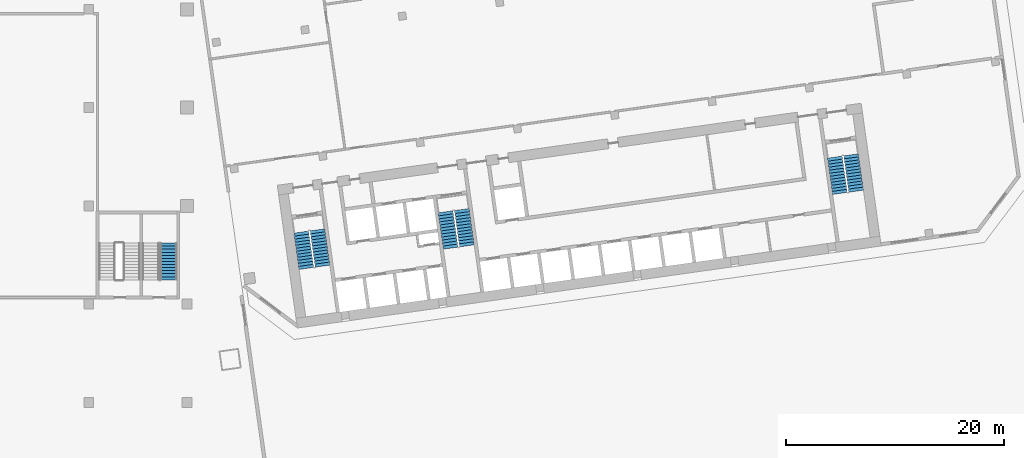
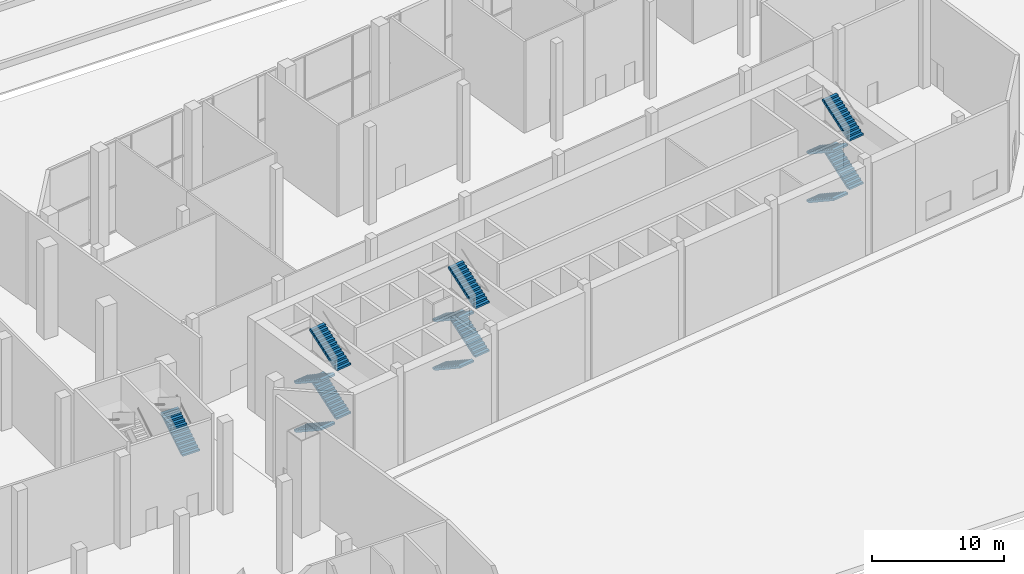
# One storey, part 30 of 34: 13 stair flights, 4 elements without a shape of their own.
"""IFC4 building model written with IfcOpenShell, lengths in metres."""

from ifc_helpers import new_model, si_unit, direction, frame, origin, place, context, subcontext, project, spatial, polyline, outline, extrude, material, type_object, element, aggregate, save


model = new_model("IFC4")

# Units and contexts
model_context = context("Model", 3, precision=1e-05, world=origin(), true_north=direction((0.0, 1.0)))
body_context = subcontext(model_context, "Body", "Model", "MODEL_VIEW")
ifc_project = project(units=[si_unit("LENGTHUNIT", "METRE"), si_unit("AREAUNIT", "SQUARE_METRE"), si_unit("VOLUMEUNIT", "CUBIC_METRE"), si_unit("PLANEANGLEUNIT", "RADIAN"), si_unit("MASSUNIT", "GRAM", prefix="KILO")], contexts=[model_context])

# Site, building, storey
site_placement = place(None, origin())
site = spatial("IfcSite", under=ifc_project, at=site_placement, CompositionType="ELEMENT")
building_placement = place(site_placement, origin())
building = spatial("IfcBuilding", under=site, at=building_placement, Name="Mirante Cascada Hotel Towers", CompositionType="ELEMENT")
storey_placement = place(building_placement, origin())
storey = spatial("IfcBuildingStorey", under=building, at=storey_placement, Name="L00", CompositionType="ELEMENT", Elevation=0.0)

# Stair, stair flights
ifc_material_1 = material(Name="Concrete C35/45", Category="concrete")
stair_type_1 = type_object("IfcStairType", Name="Exit stair half-turn 1350 concrete C35/45", PredefinedType="HALF_TURN_STAIR", material=ifc_material_1)
stair_1_placement = place(storey_placement, origin())
stair_1 = element("IfcStair", 1, at=stair_1_placement, inside=storey, type_object=stair_type_1, Name="L00 Exit stair A", PredefinedType="HALF_TURN_STAIR")
ifc_material_2 = material(Name="Concrete C35/45", Category="concrete")
stair_flight_type_1 = type_object("IfcStairFlightType", Name="Exit stair flight 1350 concrete C35/45", PredefinedType="STRAIGHT", material=ifc_material_2)
stair_flight_1_placement = place(storey_placement, frame((37.4563, -11.4038, 0.0), z_axis=(0.0, 0.0, 1.0), x_axis=(0.1391731, -0.9902681, 0.0)))
stair_flight_1 = element("IfcStairFlight", 2, at=stair_flight_1_placement, type_object=stair_flight_type_1, Name="ST2-A flight 1", NumberOfRisers=13, NumberOfTreads=12, PredefinedType="STRAIGHT", RiserHeight=0.173076923, TreadLength=0.28, context=body_context, shape_type="SweptSolid", body=[
    extrude(outline(polyline([(0.0, 0.0), (0.0, 0.1731), (0.28, 0.1731), (0.28, 0.3462), (0.56, 0.3462), (0.56, 0.5192), (0.84, 0.5192), (0.84, 0.6923), (1.12, 0.6923), (1.12, 0.8654), (1.4, 0.8654), (1.4, 1.0385), (1.68, 1.0385), (1.68, 1.2115), (1.96, 1.2115), (1.96, 1.3846), (2.24, 1.3846), (2.24, 1.5577), (2.52, 1.5577), (2.52, 1.7308), (2.8, 1.7308), (2.8, 1.9038), (3.08, 1.9038), (3.08, 2.0769), (3.36, 2.0769), (3.36, 2.25), (3.36, 1.9006), (0.2853, 0.0), (0.0, 0.0)])), frame((0.0, 0.675, 0.0), z_axis=(0.0, -1.0, 0.0), x_axis=(1.0, 0.0, 0.0)), (0.0, 0.0, 1.0), 1.35),
])
stair_flight_2_placement = place(storey_placement, frame((39.4093, -14.5223, 2.25), z_axis=(0.0, 0.0, 1.0), x_axis=(-0.1391731, 0.9902681, 0.0)))
stair_flight_2 = element("IfcStairFlight", 3, at=stair_flight_2_placement, type_object=stair_flight_type_1, Name="ST2-A flight 2", NumberOfRisers=13, NumberOfTreads=12, PredefinedType="STRAIGHT", RiserHeight=0.173076923, TreadLength=0.28, context=body_context, shape_type="SweptSolid", body=[
    extrude(outline(polyline([(0.0, 0.0), (0.0, 0.1731), (0.28, 0.1731), (0.28, 0.3462), (0.56, 0.3462), (0.56, 0.5192), (0.84, 0.5192), (0.84, 0.6923), (1.12, 0.6923), (1.12, 0.8654), (1.4, 0.8654), (1.4, 1.0385), (1.68, 1.0385), (1.68, 1.2115), (1.96, 1.2115), (1.96, 1.3846), (2.24, 1.3846), (2.24, 1.5577), (2.52, 1.5577), (2.52, 1.7308), (2.8, 1.7308), (2.8, 1.9038), (3.08, 1.9038), (3.08, 2.0769), (3.36, 2.0769), (3.36, 2.25), (3.36, 1.9006), (0.2853, 0.0), (0.0, 0.0)])), frame((0.0, 0.675, 0.0), z_axis=(0.0, -1.0, 0.0), x_axis=(1.0, 0.0, 0.0)), (0.0, 0.0, 1.0), 1.35),
])
stair_flight_3_placement = place(storey_placement, frame((37.4563, -11.4038, 4.5), z_axis=(0.0, 0.0, 1.0), x_axis=(0.1391731, -0.9902681, 0.0)))
stair_flight_3 = element("IfcStairFlight", 4, at=stair_flight_3_placement, type_object=stair_flight_type_1, Name="ST2-A flight 3", NumberOfRisers=13, NumberOfTreads=12, PredefinedType="STRAIGHT", RiserHeight=0.173076923, TreadLength=0.28, context=body_context, shape_type="SweptSolid", body=[
    extrude(outline(polyline([(0.0, 0.0), (0.0, 0.1731), (0.28, 0.1731), (0.28, 0.3462), (0.56, 0.3462), (0.56, 0.5192), (0.84, 0.5192), (0.84, 0.6923), (1.12, 0.6923), (1.12, 0.8654), (1.4, 0.8654), (1.4, 1.0385), (1.68, 1.0385), (1.68, 1.2115), (1.96, 1.2115), (1.96, 1.3846), (2.24, 1.3846), (2.24, 1.5577), (2.52, 1.5577), (2.52, 1.7308), (2.8, 1.7308), (2.8, 1.9038), (3.08, 1.9038), (3.08, 2.0769), (3.36, 2.0769), (3.36, 2.25), (3.36, 1.9006), (0.2853, 0.0), (0.0, 0.0)])), frame((0.0, 0.675, 0.0), z_axis=(0.0, -1.0, 0.0), x_axis=(1.0, 0.0, 0.0)), (0.0, 0.0, 1.0), 1.35),
])
stair_flight_4_placement = place(storey_placement, frame((39.4093, -14.5223, 6.75), z_axis=(0.0, 0.0, 1.0), x_axis=(-0.1391731, 0.9902681, 0.0)))
stair_flight_4 = element("IfcStairFlight", 5, at=stair_flight_4_placement, type_object=stair_flight_type_1, Name="ST2-A flight 4", NumberOfRisers=13, NumberOfTreads=12, PredefinedType="STRAIGHT", RiserHeight=0.173076923, TreadLength=0.28, context=body_context, shape_type="SweptSolid", body=[
    extrude(outline(polyline([(0.0, 0.0), (0.0, 0.1731), (0.28, 0.1731), (0.28, 0.3462), (0.56, 0.3462), (0.56, 0.5192), (0.84, 0.5192), (0.84, 0.6923), (1.12, 0.6923), (1.12, 0.8654), (1.4, 0.8654), (1.4, 1.0385), (1.68, 1.0385), (1.68, 1.2115), (1.96, 1.2115), (1.96, 1.3846), (2.24, 1.3846), (2.24, 1.5577), (2.52, 1.5577), (2.52, 1.7308), (2.8, 1.7308), (2.8, 1.9038), (3.08, 1.9038), (3.08, 2.0769), (3.36, 2.0769), (3.36, 2.25), (3.36, 1.9006), (0.2853, 0.0), (0.0, 0.0)])), frame((0.0, 0.675, 0.0), z_axis=(0.0, -1.0, 0.0), x_axis=(1.0, 0.0, 0.0)), (0.0, 0.0, 1.0), 1.35),
])
aggregate(stair_1, [stair_flight_1, stair_flight_2, stair_flight_3, stair_flight_4])

stair_2_placement = place(storey_placement, origin())
stair_2 = element("IfcStair", 6, at=stair_2_placement, inside=storey, type_object=stair_type_1, Name="L00 Exit stair B", PredefinedType="HALF_TURN_STAIR")
stair_flight_5_placement = place(storey_placement, frame((50.6764, -9.5458, 0.0), z_axis=(0.0, 0.0, 1.0), x_axis=(0.1391731, -0.9902681, 0.0)))
stair_flight_5 = element("IfcStairFlight", 7, at=stair_flight_5_placement, type_object=stair_flight_type_1, Name="ST2-B flight 1", NumberOfRisers=13, NumberOfTreads=12, PredefinedType="STRAIGHT", RiserHeight=0.173076923, TreadLength=0.28, context=body_context, shape_type="SweptSolid", body=[
    extrude(outline(polyline([(0.0, 0.0), (0.0, 0.1731), (0.28, 0.1731), (0.28, 0.3462), (0.56, 0.3462), (0.56, 0.5192), (0.84, 0.5192), (0.84, 0.6923), (1.12, 0.6923), (1.12, 0.8654), (1.4, 0.8654), (1.4, 1.0385), (1.68, 1.0385), (1.68, 1.2115), (1.96, 1.2115), (1.96, 1.3846), (2.24, 1.3846), (2.24, 1.5577), (2.52, 1.5577), (2.52, 1.7308), (2.8, 1.7308), (2.8, 1.9038), (3.08, 1.9038), (3.08, 2.0769), (3.36, 2.0769), (3.36, 2.25), (3.36, 1.9006), (0.2853, 0.0), (0.0, 0.0)])), frame((0.0, 0.675, 0.0), z_axis=(0.0, -1.0, 0.0), x_axis=(1.0, 0.0, 0.0)), (0.0, 0.0, 1.0), 1.35),
])
stair_flight_6_placement = place(storey_placement, frame((52.6294, -12.6644, 2.25), z_axis=(0.0, 0.0, 1.0), x_axis=(-0.1391731, 0.9902681, 0.0)))
stair_flight_6 = element("IfcStairFlight", 8, at=stair_flight_6_placement, type_object=stair_flight_type_1, Name="ST2-B flight 2", NumberOfRisers=13, NumberOfTreads=12, PredefinedType="STRAIGHT", RiserHeight=0.173076923, TreadLength=0.28, context=body_context, shape_type="SweptSolid", body=[
    extrude(outline(polyline([(0.0, 0.0), (0.0, 0.1731), (0.28, 0.1731), (0.28, 0.3462), (0.56, 0.3462), (0.56, 0.5192), (0.84, 0.5192), (0.84, 0.6923), (1.12, 0.6923), (1.12, 0.8654), (1.4, 0.8654), (1.4, 1.0385), (1.68, 1.0385), (1.68, 1.2115), (1.96, 1.2115), (1.96, 1.3846), (2.24, 1.3846), (2.24, 1.5577), (2.52, 1.5577), (2.52, 1.7308), (2.8, 1.7308), (2.8, 1.9038), (3.08, 1.9038), (3.08, 2.0769), (3.36, 2.0769), (3.36, 2.25), (3.36, 1.9006), (0.2853, 0.0), (0.0, 0.0)])), frame((0.0, 0.675, 0.0), z_axis=(0.0, -1.0, 0.0), x_axis=(1.0, 0.0, 0.0)), (0.0, 0.0, 1.0), 1.35),
])
stair_flight_7_placement = place(storey_placement, frame((50.6764, -9.5458, 4.5), z_axis=(0.0, 0.0, 1.0), x_axis=(0.1391731, -0.9902681, 0.0)))
stair_flight_7 = element("IfcStairFlight", 9, at=stair_flight_7_placement, type_object=stair_flight_type_1, Name="ST2-B flight 3", NumberOfRisers=13, NumberOfTreads=12, PredefinedType="STRAIGHT", RiserHeight=0.173076923, TreadLength=0.28, context=body_context, shape_type="SweptSolid", body=[
    extrude(outline(polyline([(0.0, 0.0), (0.0, 0.1731), (0.28, 0.1731), (0.28, 0.3462), (0.56, 0.3462), (0.56, 0.5192), (0.84, 0.5192), (0.84, 0.6923), (1.12, 0.6923), (1.12, 0.8654), (1.4, 0.8654), (1.4, 1.0385), (1.68, 1.0385), (1.68, 1.2115), (1.96, 1.2115), (1.96, 1.3846), (2.24, 1.3846), (2.24, 1.5577), (2.52, 1.5577), (2.52, 1.7308), (2.8, 1.7308), (2.8, 1.9038), (3.08, 1.9038), (3.08, 2.0769), (3.36, 2.0769), (3.36, 2.25), (3.36, 1.9006), (0.2853, 0.0), (0.0, 0.0)])), frame((0.0, 0.675, 0.0), z_axis=(0.0, -1.0, 0.0), x_axis=(1.0, 0.0, 0.0)), (0.0, 0.0, 1.0), 1.35),
])
stair_flight_8_placement = place(storey_placement, frame((52.6294, -12.6644, 6.75), z_axis=(0.0, 0.0, 1.0), x_axis=(-0.1391731, 0.9902681, 0.0)))
stair_flight_8 = element("IfcStairFlight", 10, at=stair_flight_8_placement, type_object=stair_flight_type_1, Name="ST2-B flight 4", NumberOfRisers=13, NumberOfTreads=12, PredefinedType="STRAIGHT", RiserHeight=0.173076923, TreadLength=0.28, context=body_context, shape_type="SweptSolid", body=[
    extrude(outline(polyline([(0.0, 0.0), (0.0, 0.1731), (0.28, 0.1731), (0.28, 0.3462), (0.56, 0.3462), (0.56, 0.5192), (0.84, 0.5192), (0.84, 0.6923), (1.12, 0.6923), (1.12, 0.8654), (1.4, 0.8654), (1.4, 1.0385), (1.68, 1.0385), (1.68, 1.2115), (1.96, 1.2115), (1.96, 1.3846), (2.24, 1.3846), (2.24, 1.5577), (2.52, 1.5577), (2.52, 1.7308), (2.8, 1.7308), (2.8, 1.9038), (3.08, 1.9038), (3.08, 2.0769), (3.36, 2.0769), (3.36, 2.25), (3.36, 1.9006), (0.2853, 0.0), (0.0, 0.0)])), frame((0.0, 0.675, 0.0), z_axis=(0.0, -1.0, 0.0), x_axis=(1.0, 0.0, 0.0)), (0.0, 0.0, 1.0), 1.35),
])
aggregate(stair_2, [stair_flight_5, stair_flight_6, stair_flight_7, stair_flight_8])

stair_3_placement = place(storey_placement, origin())
stair_3 = element("IfcStair", 11, at=stair_3_placement, inside=storey, type_object=stair_type_1, Name="L00 Exit stair C", PredefinedType="HALF_TURN_STAIR")
stair_flight_9_placement = place(storey_placement, frame((86.326, -4.5356, 0.0), z_axis=(0.0, 0.0, 1.0), x_axis=(0.1391731, -0.9902681, 0.0)))
stair_flight_9 = element("IfcStairFlight", 12, at=stair_flight_9_placement, type_object=stair_flight_type_1, Name="ST2-C flight 1", NumberOfRisers=13, NumberOfTreads=12, PredefinedType="STRAIGHT", RiserHeight=0.173076923, TreadLength=0.28, context=body_context, shape_type="SweptSolid", body=[
    extrude(outline(polyline([(0.0, 0.0), (0.0, 0.1731), (0.28, 0.1731), (0.28, 0.3462), (0.56, 0.3462), (0.56, 0.5192), (0.84, 0.5192), (0.84, 0.6923), (1.12, 0.6923), (1.12, 0.8654), (1.4, 0.8654), (1.4, 1.0385), (1.68, 1.0385), (1.68, 1.2115), (1.96, 1.2115), (1.96, 1.3846), (2.24, 1.3846), (2.24, 1.5577), (2.52, 1.5577), (2.52, 1.7308), (2.8, 1.7308), (2.8, 1.9038), (3.08, 1.9038), (3.08, 2.0769), (3.36, 2.0769), (3.36, 2.25), (3.36, 1.9006), (0.2853, 0.0), (0.0, 0.0)])), frame((0.0, 0.675, 0.0), z_axis=(0.0, -1.0, 0.0), x_axis=(1.0, 0.0, 0.0)), (0.0, 0.0, 1.0), 1.35),
])
stair_flight_10_placement = place(storey_placement, frame((88.2791, -7.6541, 2.25), z_axis=(0.0, 0.0, 1.0), x_axis=(-0.1391731, 0.9902681, 0.0)))
stair_flight_10 = element("IfcStairFlight", 13, at=stair_flight_10_placement, type_object=stair_flight_type_1, Name="ST2-C flight 2", NumberOfRisers=13, NumberOfTreads=12, PredefinedType="STRAIGHT", RiserHeight=0.173076923, TreadLength=0.28, context=body_context, shape_type="SweptSolid", body=[
    extrude(outline(polyline([(0.0, 0.0), (0.0, 0.1731), (0.28, 0.1731), (0.28, 0.3462), (0.56, 0.3462), (0.56, 0.5192), (0.84, 0.5192), (0.84, 0.6923), (1.12, 0.6923), (1.12, 0.8654), (1.4, 0.8654), (1.4, 1.0385), (1.68, 1.0385), (1.68, 1.2115), (1.96, 1.2115), (1.96, 1.3846), (2.24, 1.3846), (2.24, 1.5577), (2.52, 1.5577), (2.52, 1.7308), (2.8, 1.7308), (2.8, 1.9038), (3.08, 1.9038), (3.08, 2.0769), (3.36, 2.0769), (3.36, 2.25), (3.36, 1.9006), (0.2853, 0.0), (0.0, 0.0)])), frame((0.0, 0.675, 0.0), z_axis=(0.0, -1.0, 0.0), x_axis=(1.0, 0.0, 0.0)), (0.0, 0.0, 1.0), 1.35),
])
stair_flight_11_placement = place(storey_placement, frame((86.326, -4.5356, 4.5), z_axis=(0.0, 0.0, 1.0), x_axis=(0.1391731, -0.9902681, 0.0)))
stair_flight_11 = element("IfcStairFlight", 14, at=stair_flight_11_placement, type_object=stair_flight_type_1, Name="ST2-C flight 3", NumberOfRisers=13, NumberOfTreads=12, PredefinedType="STRAIGHT", RiserHeight=0.173076923, TreadLength=0.28, context=body_context, shape_type="SweptSolid", body=[
    extrude(outline(polyline([(0.0, 0.0), (0.0, 0.1731), (0.28, 0.1731), (0.28, 0.3462), (0.56, 0.3462), (0.56, 0.5192), (0.84, 0.5192), (0.84, 0.6923), (1.12, 0.6923), (1.12, 0.8654), (1.4, 0.8654), (1.4, 1.0385), (1.68, 1.0385), (1.68, 1.2115), (1.96, 1.2115), (1.96, 1.3846), (2.24, 1.3846), (2.24, 1.5577), (2.52, 1.5577), (2.52, 1.7308), (2.8, 1.7308), (2.8, 1.9038), (3.08, 1.9038), (3.08, 2.0769), (3.36, 2.0769), (3.36, 2.25), (3.36, 1.9006), (0.2853, 0.0), (0.0, 0.0)])), frame((0.0, 0.675, 0.0), z_axis=(0.0, -1.0, 0.0), x_axis=(1.0, 0.0, 0.0)), (0.0, 0.0, 1.0), 1.35),
])
stair_flight_12_placement = place(storey_placement, frame((88.2791, -7.6541, 6.75), z_axis=(0.0, 0.0, 1.0), x_axis=(-0.1391731, 0.9902681, 0.0)))
stair_flight_12 = element("IfcStairFlight", 15, at=stair_flight_12_placement, type_object=stair_flight_type_1, Name="ST2-C flight 4", NumberOfRisers=13, NumberOfTreads=12, PredefinedType="STRAIGHT", RiserHeight=0.173076923, TreadLength=0.28, context=body_context, shape_type="SweptSolid", body=[
    extrude(outline(polyline([(0.0, 0.0), (0.0, 0.1731), (0.28, 0.1731), (0.28, 0.3462), (0.56, 0.3462), (0.56, 0.5192), (0.84, 0.5192), (0.84, 0.6923), (1.12, 0.6923), (1.12, 0.8654), (1.4, 0.8654), (1.4, 1.0385), (1.68, 1.0385), (1.68, 1.2115), (1.96, 1.2115), (1.96, 1.3846), (2.24, 1.3846), (2.24, 1.5577), (2.52, 1.5577), (2.52, 1.7308), (2.8, 1.7308), (2.8, 1.9038), (3.08, 1.9038), (3.08, 2.0769), (3.36, 2.0769), (3.36, 2.25), (3.36, 1.9006), (0.2853, 0.0), (0.0, 0.0)])), frame((0.0, 0.675, 0.0), z_axis=(0.0, -1.0, 0.0), x_axis=(1.0, 0.0, 0.0)), (0.0, 0.0, 1.0), 1.35),
])
aggregate(stair_3, [stair_flight_9, stair_flight_10, stair_flight_11, stair_flight_12])

# Stair, stair flight
ifc_material_3 = material(Name="Concrete C35/45", Category="concrete")
stair_type_2 = type_object("IfcStairType", Name="Podium exit stair half-turn 1500 concrete C35/45", PredefinedType="HALF_TURN_STAIR", material=ifc_material_3)
stair_4_placement = place(storey_placement, origin())
stair_4 = element("IfcStair", 16, at=stair_4_placement, inside=storey, type_object=stair_type_2, Name="L00 Podium exit stair 4", PredefinedType="HALF_TURN_STAIR")
ifc_material_4 = material(Name="Concrete C35/45", Category="concrete")
stair_flight_type_2 = type_object("IfcStairFlightType", Name="Podium exit stair flight 1500 concrete C35/45", PredefinedType="STRAIGHT", material=ifc_material_4)
stair_flight_13_placement = place(storey_placement, frame((25.325, -15.775, 4.5), z_axis=(0.0, 0.0, 1.0), x_axis=(0.0, 1.0, 0.0)))
stair_flight_13 = element("IfcStairFlight", 17, at=stair_flight_13_placement, type_object=stair_flight_type_2, Name="PS2 flight 3", NumberOfRisers=13, NumberOfTreads=12, PredefinedType="STRAIGHT", RiserHeight=0.173076923, TreadLength=0.28, context=body_context, shape_type="SweptSolid", body=[
    extrude(outline(polyline([(0.0, 0.0), (0.0, 0.1731), (0.28, 0.1731), (0.28, 0.3462), (0.56, 0.3462), (0.56, 0.5192), (0.84, 0.5192), (0.84, 0.6923), (1.12, 0.6923), (1.12, 0.8654), (1.4, 0.8654), (1.4, 1.0385), (1.68, 1.0385), (1.68, 1.2115), (1.96, 1.2115), (1.96, 1.3846), (2.24, 1.3846), (2.24, 1.5577), (2.52, 1.5577), (2.52, 1.7308), (2.8, 1.7308), (2.8, 1.9038), (3.08, 1.9038), (3.08, 2.0769), (3.36, 2.0769), (3.36, 2.25), (3.36, 1.9006), (0.2853, 0.0), (0.0, 0.0)])), frame((0.0, 0.75, 0.0), z_axis=(0.0, -1.0, 0.0), x_axis=(1.0, 0.0, 0.0)), (0.0, 0.0, 1.0), 1.5),
])
aggregate(stair_4, [stair_flight_13])

save(model, "model.ifc")
